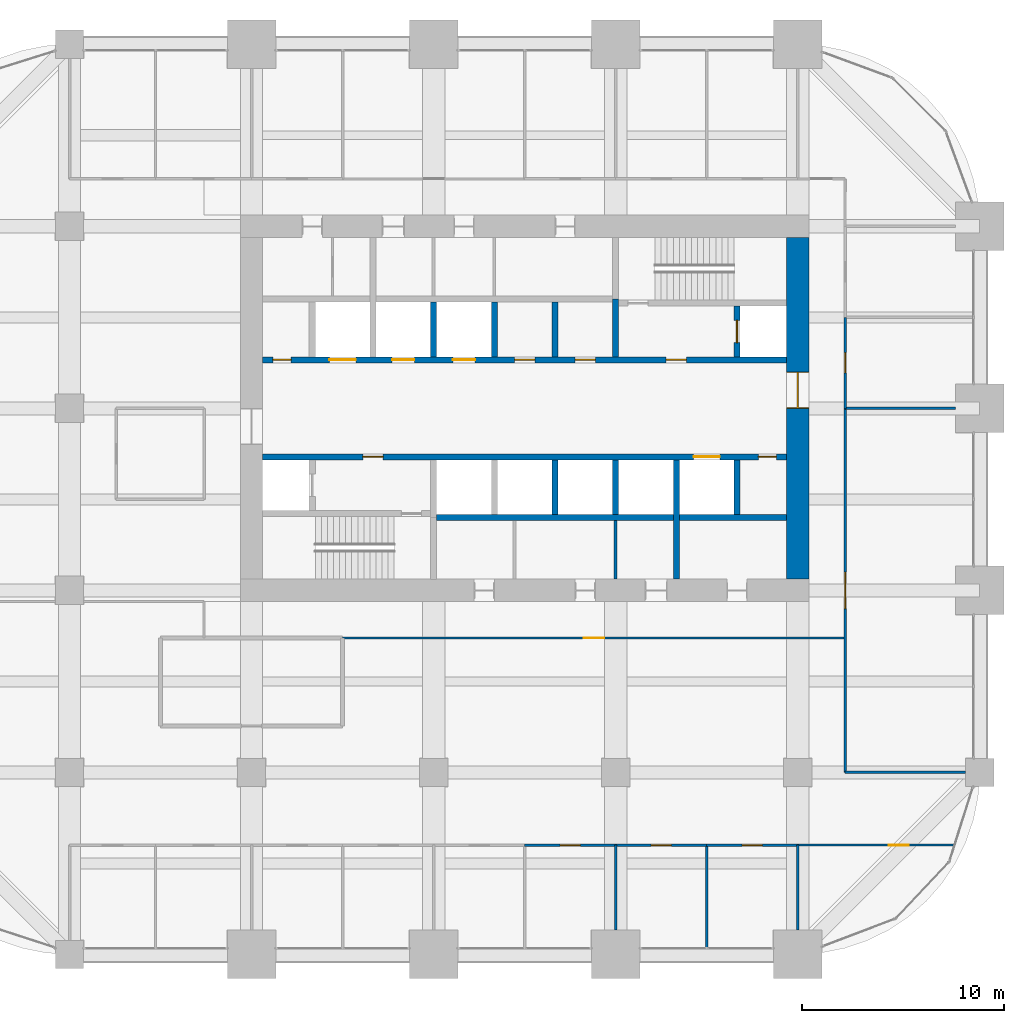
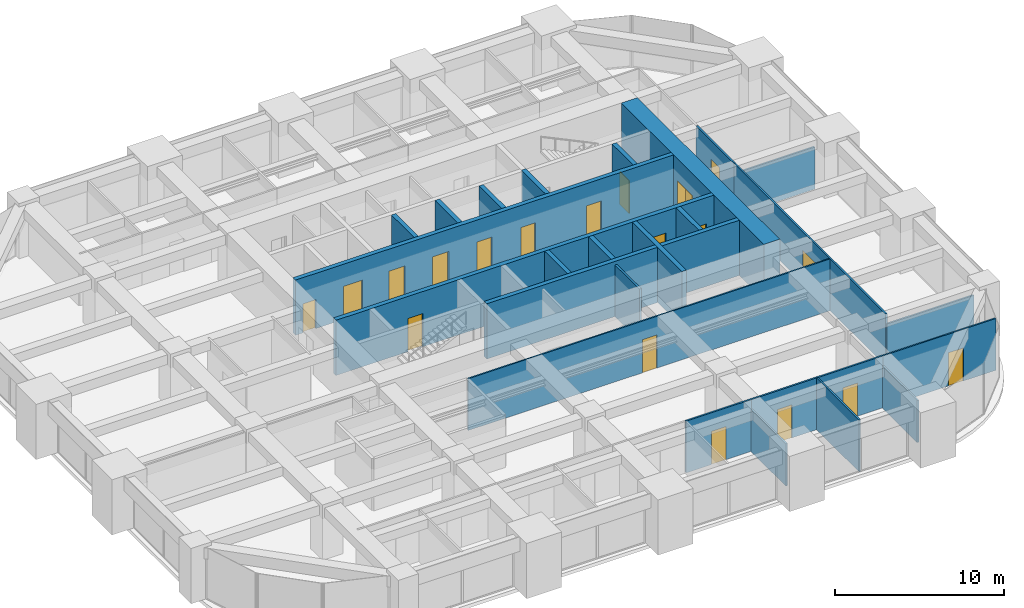
# One storey, part 30 of 33: 26 walls, 19 doors, 19 openings.
"""IFC4 building model written with IfcOpenShell, lengths in metres."""

from ifc_helpers import new_model, si_unit, direction, frame, frame_2d, origin, place, context, subcontext, project, spatial, rectangle, extrude, material, layer, layer_set, type_object, element, fill, save


model = new_model("IFC4")

# Units and contexts
model_context = context("Model", 3, precision=1e-05, world=origin(), true_north=direction((0.0, 1.0)))
body_context = subcontext(model_context, "Body", "Model", "MODEL_VIEW")
ifc_project = project(units=[si_unit("LENGTHUNIT", "METRE"), si_unit("AREAUNIT", "SQUARE_METRE"), si_unit("VOLUMEUNIT", "CUBIC_METRE"), si_unit("PLANEANGLEUNIT", "RADIAN"), si_unit("MASSUNIT", "GRAM", prefix="KILO")], contexts=[model_context])

# Site, building, storey
site_placement = place(None, origin())
site = spatial("IfcSite", under=ifc_project, at=site_placement, CompositionType="ELEMENT")
building_placement = place(site_placement, origin())
building = spatial("IfcBuilding", under=site, at=building_placement, Name="Zorevar Civic Tower", CompositionType="ELEMENT")
storey_placement = place(building_placement, frame((0.0, 0.0, 210.199951171875)))
storey = spatial("IfcBuildingStorey", under=building, at=storey_placement, Name="L51", CompositionType="ELEMENT", Elevation=210.199951171875)

# Wall, opening, door
ifc_material_1 = material(Name="Concrete C50/60", Category="concrete")
ifc_layer_1 = layer(ifc_material_1, 1.10009765625)
ifc_layer_set_1 = layer_set([ifc_layer_1], Name="Core wall 1100")
wall_type_1 = type_object("IfcWallType", Name="Core wall 1100", PredefinedType="SHEAR", material=ifc_layer_set_1)
wall_1_placement = place(storey_placement, frame((45.0, 18.550048828125, 0.0), z_axis=(0.0, 0.0, 1.0), x_axis=(0.0, 1.0, 0.0)))
wall_1 = element("IfcWall", 1, at=wall_1_placement, inside=storey, type_object=wall_type_1, Name="Core wall E L51", PredefinedType="SHEAR", context=body_context, shape_type="SweptSolid", body=[
    extrude(rectangle(XDim=16.89990234375, YDim=1.10009765625, at=frame_2d((8.449951171875, 0.0))), origin(), (0.0, 0.0, 1.0), 4.0),
])
opening_1_placement = place(wall_1_placement, frame((8.449951171875, 0.0, 0.0)))
opening_1 = element("IfcOpeningElement", 2, at=opening_1_placement, cuts=wall_1, Name="Opening L51.02", PredefinedType="OPENING", context=body_context, shape_type="SweptSolid", body=[
    extrude(rectangle(XDim=1.800048828125, YDim=2.39990234375, at=frame_2d((0.89990234375, 1.199951171875))), frame((0.0, 0.56005859375, 0.0), z_axis=(0.0, -1.0, 0.0), x_axis=(1.0, 0.0, 0.0)), (0.0, 0.0, 1.0), 1.1201171875),
])
ifc_material_2 = material(Name="Steel door set", Category="steel")
door_type_1 = type_object("IfcDoorType", Name="Fire door FD2 1800x2400", OperationType="DOUBLE_DOOR_DOUBLE_SWING", PredefinedType="DOOR", material=ifc_material_2)
door_1_placement = place(opening_1_placement, origin())
door_1 = element("IfcDoor", 3, at=door_1_placement, inside=storey, type_object=door_type_1, Name="Door L51 01", OperationType="DOUBLE_DOOR_DOUBLE_SWING", OverallHeight=2.39990234375, OverallWidth=1.800048828125, PredefinedType="DOOR", context=body_context, shape_type="SweptSolid", body=[
    extrude(rectangle(XDim=1.800048828125, YDim=2.39990234375, at=frame_2d((0.89990234375, 1.199951171875))), frame((0.0, 0.030029296875, 0.0), z_axis=(0.0, -1.0, 0.0), x_axis=(1.0, 0.0, 0.0)), (0.0, 0.0, 1.0), 0.06005859375),
    extrude(rectangle(XDim=0.04, YDim=2.39990234375, at=frame_2d((0.02001953125, 1.199951171875))), frame((0.0, 0.5498046875, 0.0), z_axis=(0.0, -1.0, 0.0), x_axis=(1.0, 0.0, 0.0)), (0.0, 0.0, 1.0), 1.099609375),
    extrude(rectangle(XDim=0.04, YDim=2.39990234375, at=frame_2d((1.780029296875, 1.199951171875))), frame((0.0, 0.5498046875, 0.0), z_axis=(0.0, -1.0, 0.0), x_axis=(1.0, 0.0, 0.0)), (0.0, 0.0, 1.0), 1.099609375),
    extrude(rectangle(XDim=1.800048828125, YDim=0.04, at=frame_2d((0.89990234375, 2.3798828125))), frame((0.0, 0.5498046875, 0.0), z_axis=(0.0, -1.0, 0.0), x_axis=(1.0, 0.0, 0.0)), (0.0, 0.0, 1.0), 1.099609375),
])
fill(opening_1, door_1)

ifc_material_3 = material(Name="Laminated glass in black aluminium frame", Category="aluminium")
ifc_layer_2 = layer(ifc_material_3, 0.10009765625)
ifc_layer_set_2 = layer_set([ifc_layer_2], Name="Glazed partition 100")
wall_type_2 = type_object("IfcWallType", Name="Glazed partition 100", PredefinedType="PARTITIONING", material=ifc_layer_set_2)
wall_2_placement = place(storey_placement, frame((45.0, 5.39990234375, 0.0), z_axis=(0.0, 0.0, 1.0), x_axis=(1.0, 0.0, 0.0)))
wall_2 = element("IfcWall", 4, at=wall_2_placement, inside=storey, type_object=wall_type_2, Name="Glazed partition 100 L51", PredefinedType="PARTITIONING", context=body_context, shape_type="SweptSolid", body=[
    extrude(rectangle(XDim=7.723388671875, YDim=0.10009765625, at=frame_2d((3.86181640625, 0.0))), origin(), (0.0, 0.0, 1.0), 3.75),
])
opening_2_placement = place(wall_2_placement, frame((4.5, 0.0, 0.0)))
opening_2 = element("IfcOpeningElement", 5, at=opening_2_placement, cuts=wall_2, Name="Opening L51.25", PredefinedType="OPENING", context=body_context, shape_type="SweptSolid", body=[
    extrude(rectangle(XDim=1.0, YDim=2.39990234375, at=frame_2d((0.5, 1.199951171875))), frame((0.0, 0.06005859375, 0.0), z_axis=(0.0, -1.0, 0.0), x_axis=(1.0, 0.0, 0.0)), (0.0, 0.0, 1.0), 0.1201171875),
])
ifc_material_4 = material(Name="Timber door set", Category="wood")
door_type_2 = type_object("IfcDoorType", Name="Glazed door GD1 1000x2400", OperationType="SINGLE_SWING_LEFT", PredefinedType="DOOR", material=ifc_material_4)
door_2_placement = place(opening_2_placement, origin())
door_2 = element("IfcDoor", 6, at=door_2_placement, inside=storey, type_object=door_type_2, Name="Door L51 D1", OperationType="SINGLE_SWING_LEFT", OverallHeight=2.39990234375, OverallWidth=1.0, PredefinedType="DOOR", context=body_context, shape_type="SweptSolid", body=[
    extrude(rectangle(XDim=1.0, YDim=2.39990234375, at=frame_2d((0.5, 1.199951171875))), frame((0.0, 0.02001953125, 0.0), z_axis=(0.0, -1.0, 0.0), x_axis=(1.0, 0.0, 0.0)), (0.0, 0.0, 1.0), 0.0400390625),
])
fill(opening_2, door_2)

wall_3_placement = place(storey_placement, frame((22.5, 15.64990234375, 0.0), z_axis=(0.0, 0.0, 1.0), x_axis=(1.0, 0.0, 0.0)))
wall_3 = element("IfcWall", 7, at=wall_3_placement, inside=storey, type_object=wall_type_2, Name="Glazed partition 100 L51", PredefinedType="PARTITIONING", context=body_context, shape_type="SweptSolid", body=[
    extrude(rectangle(XDim=24.85009765625, YDim=0.10009765625, at=frame_2d((12.425048828125, 0.0))), origin(), (0.0, 0.0, 1.0), 3.75),
])
opening_3_placement = place(wall_3_placement, frame((11.925048828125, 0.0, 0.0)))
opening_3 = element("IfcOpeningElement", 8, at=opening_3_placement, cuts=wall_3, Name="Opening L51.27", PredefinedType="OPENING", context=body_context, shape_type="SweptSolid", body=[
    extrude(rectangle(XDim=1.0, YDim=2.39990234375, at=frame_2d((0.5, 1.199951171875))), frame((0.0, 0.06005859375, 0.0), z_axis=(0.0, -1.0, 0.0), x_axis=(1.0, 0.0, 0.0)), (0.0, 0.0, 1.0), 0.1201171875),
])
door_3_placement = place(opening_3_placement, origin())
door_3 = element("IfcDoor", 9, at=door_3_placement, inside=storey, type_object=door_type_2, Name="Door L51 D1", OperationType="SINGLE_SWING_RIGHT", OverallHeight=2.39990234375, OverallWidth=1.0, PredefinedType="DOOR", context=body_context, shape_type="SweptSolid", body=[
    extrude(rectangle(XDim=1.0, YDim=2.39990234375, at=frame_2d((0.5, 1.199951171875))), frame((0.0, 0.02001953125, 0.0), z_axis=(0.0, -1.0, 0.0), x_axis=(1.0, 0.0, 0.0)), (0.0, 0.0, 1.0), 0.0400390625),
])
fill(opening_3, door_3)

ifc_material_5 = material(Name="Concrete C40/50", Category="concrete")
ifc_layer_3 = layer(ifc_material_5, 0.300048828125)
ifc_layer_set_3 = layer_set([ifc_layer_3], Name="Inner core wall 300")
wall_type_3 = type_object("IfcWallType", Name="Inner core wall 300", PredefinedType="SHEAR", material=ifc_layer_set_3)
wall_4_placement = place(storey_placement, frame((42.0, 29.550048828125, 0.0), z_axis=(0.0, 0.0, 1.0), x_axis=(0.0, 1.0, 0.0)))
wall_4 = element("IfcWall", 10, at=wall_4_placement, inside=storey, type_object=wall_type_3, Name="Inner core wall N02 L51", PredefinedType="SHEAR", context=body_context, shape_type="SweptSolid", body=[
    extrude(rectangle(XDim=2.5, YDim=0.300048828125, at=frame_2d((1.25, 0.0))), origin(), (0.0, 0.0, 1.0), 4.0),
])
opening_4_placement = place(wall_4_placement, frame((0.699951171875, 0.0, 0.0)))
opening_4 = element("IfcOpeningElement", 11, at=opening_4_placement, cuts=wall_4, Name="Opening L51.FL2", PredefinedType="OPENING", context=body_context, shape_type="SweptSolid", body=[
    extrude(rectangle(XDim=1.10009765625, YDim=2.39990234375, at=frame_2d((0.550048828125, 1.199951171875))), frame((0.0, 0.159912109375, 0.0), z_axis=(0.0, -1.0, 0.0), x_axis=(1.0, 0.0, 0.0)), (0.0, 0.0, 1.0), 0.320068359375),
])
ifc_material_6 = material(Name="Steel door set", Category="steel")
door_type_3 = type_object("IfcDoorType", Name="Firefighting lift landing door LD3 1100x2400", OperationType="DOUBLE_DOOR_SLIDING", PredefinedType="DOOR", material=ifc_material_6)
door_4_placement = place(opening_4_placement, origin())
door_4 = element("IfcDoor", 12, at=door_4_placement, inside=storey, type_object=door_type_3, Name="Landing door FL2 L51", OperationType="DOUBLE_DOOR_SLIDING", OverallHeight=2.39990234375, OverallWidth=1.10009765625, PredefinedType="DOOR", context=body_context, shape_type="SweptSolid", body=[
    extrude(rectangle(XDim=1.10009765625, YDim=2.39990234375, at=frame_2d((0.550048828125, 1.199951171875))), frame((0.0, 0.030029296875, 0.0), z_axis=(0.0, -1.0, 0.0), x_axis=(1.0, 0.0, 0.0)), (0.0, 0.0, 1.0), 0.06005859375),
])
fill(opening_4, door_4)

# Wall, openings, doors
wall_5_placement = place(storey_placement, frame((18.550048828125, 24.60009765625, 0.0), z_axis=(0.0, 0.0, 1.0), x_axis=(1.0, 0.0, 0.0)))
wall_5 = element("IfcWall", 13, at=wall_5_placement, inside=storey, type_object=wall_type_3, Name="Inner core wall S03 L51", PredefinedType="SHEAR", context=body_context, shape_type="SweptSolid", body=[
    extrude(rectangle(XDim=25.89990234375, YDim=0.300048828125, at=frame_2d((12.949951171875, 0.0))), origin(), (0.0, 0.0, 1.0), 4.0),
])
opening_5_placement = place(wall_5_placement, frame((4.949951171875, 0.0, 0.0)))
opening_5 = element("IfcOpeningElement", 14, at=opening_5_placement, cuts=wall_5, Name="Opening L51.13", PredefinedType="OPENING", context=body_context, shape_type="SweptSolid", body=[
    extrude(rectangle(XDim=1.0, YDim=2.39990234375, at=frame_2d((0.5, 1.199951171875))), frame((0.0, 0.159912109375, 0.0), z_axis=(0.0, -1.0, 0.0), x_axis=(1.0, 0.0, 0.0)), (0.0, 0.0, 1.0), 0.320068359375),
])
opening_6_placement = place(wall_5_placement, frame((24.5, 0.0, 0.0)))
opening_6 = element("IfcOpeningElement", 15, at=opening_6_placement, cuts=wall_5, Name="Opening L51.15", PredefinedType="OPENING", context=body_context, shape_type="SweptSolid", body=[
    extrude(rectangle(XDim=0.89990234375, YDim=2.10009765625, at=frame_2d((0.449951171875, 1.050048828125))), frame((0.0, 0.159912109375, 0.0), z_axis=(0.0, -1.0, 0.0), x_axis=(1.0, 0.0, 0.0)), (0.0, 0.0, 1.0), 0.320068359375),
])
opening_7_placement = place(wall_5_placement, frame((21.300048828125, 0.0, 0.0)))
opening_7 = element("IfcOpeningElement", 16, at=opening_7_placement, cuts=wall_5, Name="Opening L51.SL1", PredefinedType="OPENING", context=body_context, shape_type="SweptSolid", body=[
    extrude(rectangle(XDim=1.300048828125, YDim=2.39990234375, at=frame_2d((0.64990234375, 1.199951171875))), frame((0.0, 0.159912109375, 0.0), z_axis=(0.0, -1.0, 0.0), x_axis=(1.0, 0.0, 0.0)), (0.0, 0.0, 1.0), 0.320068359375),
])
ifc_material_7 = material(Name="Steel door set", Category="steel")
door_type_4 = type_object("IfcDoorType", Name="Fire door FD1 1000x2400", OperationType="SINGLE_SWING_LEFT", PredefinedType="DOOR", material=ifc_material_7)
door_5_placement = place(opening_5_placement, origin())
door_5 = element("IfcDoor", 17, at=door_5_placement, inside=storey, type_object=door_type_4, Name="Door L51 12", OperationType="SINGLE_SWING_RIGHT", OverallHeight=2.39990234375, OverallWidth=1.0, PredefinedType="DOOR", context=body_context, shape_type="SweptSolid", body=[
    extrude(rectangle(XDim=1.0, YDim=2.39990234375, at=frame_2d((0.5, 1.199951171875))), frame((0.0, 0.030029296875, 0.0), z_axis=(0.0, -1.0, 0.0), x_axis=(1.0, 0.0, 0.0)), (0.0, 0.0, 1.0), 0.06005859375),
])
fill(opening_5, door_5)
ifc_material_8 = material(Name="Steel door set", Category="steel")
door_type_5 = type_object("IfcDoorType", Name="Landing door LD2 1300x2400", OperationType="DOUBLE_DOOR_SLIDING", PredefinedType="DOOR", material=ifc_material_8)
door_6_placement = place(opening_7_placement, origin())
door_6 = element("IfcDoor", 18, at=door_6_placement, inside=storey, type_object=door_type_5, Name="Landing door SL1 L51", OperationType="DOUBLE_DOOR_SLIDING", OverallHeight=2.39990234375, OverallWidth=1.300048828125, PredefinedType="DOOR", context=body_context, shape_type="SweptSolid", body=[
    extrude(rectangle(XDim=1.300048828125, YDim=2.39990234375, at=frame_2d((0.64990234375, 1.199951171875))), frame((0.0, 0.02001953125, 0.0), z_axis=(0.0, -1.0, 0.0), x_axis=(1.0, 0.0, 0.0)), (0.0, 0.0, 1.0), 0.0400390625),
])
fill(opening_7, door_6)
ifc_material_9 = material(Name="Steel door set", Category="steel")
door_type_6 = type_object("IfcDoorType", Name="Riser door RD1 900x2100", OperationType="SINGLE_SWING_LEFT", PredefinedType="DOOR", material=ifc_material_9)
door_7_placement = place(opening_6_placement, origin())
door_7 = element("IfcDoor", 19, at=door_7_placement, inside=storey, type_object=door_type_6, Name="Door L51 14", OperationType="SINGLE_SWING_RIGHT", OverallHeight=2.10009765625, OverallWidth=0.89990234375, PredefinedType="DOOR", context=body_context, shape_type="SweptSolid", body=[
    extrude(rectangle(XDim=0.89990234375, YDim=2.10009765625, at=frame_2d((0.449951171875, 1.050048828125))), frame((0.0, 0.030029296875, 0.0), z_axis=(0.0, -1.0, 0.0), x_axis=(1.0, 0.0, 0.0)), (0.0, 0.0, 1.0), 0.06005859375),
])
fill(opening_6, door_7)

wall_6_placement = place(storey_placement, frame((18.550048828125, 29.39990234375, 0.0), z_axis=(0.0, 0.0, 1.0), x_axis=(1.0, 0.0, 0.0)))
wall_6 = element("IfcWall", 20, at=wall_6_placement, inside=storey, type_object=wall_type_3, Name="Inner core wall N03 L51", PredefinedType="SHEAR", context=body_context, shape_type="SweptSolid", body=[
    extrude(rectangle(XDim=25.89990234375, YDim=0.300048828125, at=frame_2d((12.949951171875, 0.0))), origin(), (0.0, 0.0, 1.0), 4.0),
])
opening_8_placement = place(wall_6_placement, frame((19.949951171875, 0.0, 0.0)))
opening_8 = element("IfcOpeningElement", 21, at=opening_8_placement, cuts=wall_6, Name="Opening L51.14", PredefinedType="OPENING", context=body_context, shape_type="SweptSolid", body=[
    extrude(rectangle(XDim=1.0, YDim=2.39990234375, at=frame_2d((0.5, 1.199951171875))), frame((0.0, 0.159912109375, 0.0), z_axis=(0.0, -1.0, 0.0), x_axis=(1.0, 0.0, 0.0)), (0.0, 0.0, 1.0), 0.320068359375),
])
opening_9_placement = place(wall_6_placement, frame((0.5, 0.0, 0.0)))
opening_9 = element("IfcOpeningElement", 22, at=opening_9_placement, cuts=wall_6, Name="Opening L51.16", PredefinedType="OPENING", context=body_context, shape_type="SweptSolid", body=[
    extrude(rectangle(XDim=0.89990234375, YDim=2.10009765625, at=frame_2d((0.449951171875, 1.050048828125))), frame((0.0, 0.159912109375, 0.0), z_axis=(0.0, -1.0, 0.0), x_axis=(1.0, 0.0, 0.0)), (0.0, 0.0, 1.0), 0.320068359375),
])
opening_10_placement = place(wall_6_placement, frame((15.449951171875, 0.0, 0.0)))
opening_10 = element("IfcOpeningElement", 23, at=opening_10_placement, cuts=wall_6, Name="Opening L51.41", PredefinedType="OPENING", context=body_context, shape_type="SweptSolid", body=[
    extrude(rectangle(XDim=1.0, YDim=2.39990234375, at=frame_2d((0.5, 1.199951171875))), frame((0.0, 0.159912109375, 0.0), z_axis=(0.0, -1.0, 0.0), x_axis=(1.0, 0.0, 0.0)), (0.0, 0.0, 1.0), 0.320068359375),
])
opening_11_placement = place(wall_6_placement, frame((12.449951171875, 0.0, 0.0)))
opening_11 = element("IfcOpeningElement", 24, at=opening_11_placement, cuts=wall_6, Name="Opening L51.42", PredefinedType="OPENING", context=body_context, shape_type="SweptSolid", body=[
    extrude(rectangle(XDim=1.0, YDim=2.39990234375, at=frame_2d((0.5, 1.199951171875))), frame((0.0, 0.159912109375, 0.0), z_axis=(0.0, -1.0, 0.0), x_axis=(1.0, 0.0, 0.0)), (0.0, 0.0, 1.0), 0.320068359375),
])
opening_12_placement = place(wall_6_placement, frame((9.39990234375, 0.0, 0.0)))
opening_12 = element("IfcOpeningElement", 25, at=opening_12_placement, cuts=wall_6, Name="Opening L51.LH1", PredefinedType="OPENING", context=body_context, shape_type="SweptSolid", body=[
    extrude(rectangle(XDim=1.10009765625, YDim=2.39990234375, at=frame_2d((0.550048828125, 1.199951171875))), frame((0.0, 0.159912109375, 0.0), z_axis=(0.0, -1.0, 0.0), x_axis=(1.0, 0.0, 0.0)), (0.0, 0.0, 1.0), 0.320068359375),
])
opening_13_placement = place(wall_6_placement, frame((6.39990234375, 0.0, 0.0)))
opening_13 = element("IfcOpeningElement", 26, at=opening_13_placement, cuts=wall_6, Name="Opening L51.LH2", PredefinedType="OPENING", context=body_context, shape_type="SweptSolid", body=[
    extrude(rectangle(XDim=1.10009765625, YDim=2.39990234375, at=frame_2d((0.550048828125, 1.199951171875))), frame((0.0, 0.159912109375, 0.0), z_axis=(0.0, -1.0, 0.0), x_axis=(1.0, 0.0, 0.0)), (0.0, 0.0, 1.0), 0.320068359375),
])
opening_14_placement = place(wall_6_placement, frame((3.300048828125, 0.0, 0.0)))
opening_14 = element("IfcOpeningElement", 27, at=opening_14_placement, cuts=wall_6, Name="Opening L51.SL2", PredefinedType="OPENING", context=body_context, shape_type="SweptSolid", body=[
    extrude(rectangle(XDim=1.300048828125, YDim=2.39990234375, at=frame_2d((0.64990234375, 1.199951171875))), frame((0.0, 0.159912109375, 0.0), z_axis=(0.0, -1.0, 0.0), x_axis=(1.0, 0.0, 0.0)), (0.0, 0.0, 1.0), 0.320068359375),
])
door_8_placement = place(opening_8_placement, origin())
door_8 = element("IfcDoor", 28, at=door_8_placement, inside=storey, type_object=door_type_4, Name="Door L51 13", OperationType="SINGLE_SWING_RIGHT", OverallHeight=2.39990234375, OverallWidth=1.0, PredefinedType="DOOR", context=body_context, shape_type="SweptSolid", body=[
    extrude(rectangle(XDim=1.0, YDim=2.39990234375, at=frame_2d((0.5, 1.199951171875))), frame((0.0, 0.030029296875, 0.0), z_axis=(0.0, -1.0, 0.0), x_axis=(1.0, 0.0, 0.0)), (0.0, 0.0, 1.0), 0.06005859375),
])
fill(opening_8, door_8)
door_9_placement = place(opening_10_placement, origin())
door_9 = element("IfcDoor", 29, at=door_9_placement, inside=storey, type_object=door_type_4, Name="Door L51 LM1 shaft room", OperationType="SINGLE_SWING_LEFT", OverallHeight=2.39990234375, OverallWidth=1.0, PredefinedType="DOOR", context=body_context, shape_type="SweptSolid", body=[
    extrude(rectangle(XDim=1.0, YDim=2.39990234375, at=frame_2d((0.5, 1.199951171875))), frame((0.0, 0.030029296875, 0.0), z_axis=(0.0, -1.0, 0.0), x_axis=(1.0, 0.0, 0.0)), (0.0, 0.0, 1.0), 0.06005859375),
])
fill(opening_10, door_9)
door_10_placement = place(opening_11_placement, origin())
door_10 = element("IfcDoor", 30, at=door_10_placement, inside=storey, type_object=door_type_4, Name="Door L51 LM2 shaft room", OperationType="SINGLE_SWING_RIGHT", OverallHeight=2.39990234375, OverallWidth=1.0, PredefinedType="DOOR", context=body_context, shape_type="SweptSolid", body=[
    extrude(rectangle(XDim=1.0, YDim=2.39990234375, at=frame_2d((0.5, 1.199951171875))), frame((0.0, 0.030029296875, 0.0), z_axis=(0.0, -1.0, 0.0), x_axis=(1.0, 0.0, 0.0)), (0.0, 0.0, 1.0), 0.06005859375),
])
fill(opening_11, door_10)
ifc_material_10 = material(Name="Steel door set", Category="steel")
door_type_7 = type_object("IfcDoorType", Name="Landing door LD1 1100x2400", OperationType="DOUBLE_DOOR_SLIDING", PredefinedType="DOOR", material=ifc_material_10)
door_11_placement = place(opening_12_placement, origin())
door_11 = element("IfcDoor", 31, at=door_11_placement, inside=storey, type_object=door_type_7, Name="Landing door LH1 L51", OperationType="DOUBLE_DOOR_SLIDING", OverallHeight=2.39990234375, OverallWidth=1.10009765625, PredefinedType="DOOR", context=body_context, shape_type="SweptSolid", body=[
    extrude(rectangle(XDim=1.10009765625, YDim=2.39990234375, at=frame_2d((0.550048828125, 1.199951171875))), frame((0.0, 0.02001953125, 0.0), z_axis=(0.0, -1.0, 0.0), x_axis=(1.0, 0.0, 0.0)), (0.0, 0.0, 1.0), 0.0400390625),
])
fill(opening_12, door_11)
door_12_placement = place(opening_13_placement, origin())
door_12 = element("IfcDoor", 32, at=door_12_placement, inside=storey, type_object=door_type_7, Name="Landing door LH2 L51", OperationType="DOUBLE_DOOR_SLIDING", OverallHeight=2.39990234375, OverallWidth=1.10009765625, PredefinedType="DOOR", context=body_context, shape_type="SweptSolid", body=[
    extrude(rectangle(XDim=1.10009765625, YDim=2.39990234375, at=frame_2d((0.550048828125, 1.199951171875))), frame((0.0, 0.02001953125, 0.0), z_axis=(0.0, -1.0, 0.0), x_axis=(1.0, 0.0, 0.0)), (0.0, 0.0, 1.0), 0.0400390625),
])
fill(opening_13, door_12)
door_13_placement = place(opening_14_placement, origin())
door_13 = element("IfcDoor", 33, at=door_13_placement, inside=storey, type_object=door_type_5, Name="Landing door SL2 L51", OperationType="DOUBLE_DOOR_SLIDING", OverallHeight=2.39990234375, OverallWidth=1.300048828125, PredefinedType="DOOR", context=body_context, shape_type="SweptSolid", body=[
    extrude(rectangle(XDim=1.300048828125, YDim=2.39990234375, at=frame_2d((0.64990234375, 1.199951171875))), frame((0.0, 0.02001953125, 0.0), z_axis=(0.0, -1.0, 0.0), x_axis=(1.0, 0.0, 0.0)), (0.0, 0.0, 1.0), 0.0400390625),
])
fill(opening_14, door_13)
door_14_placement = place(opening_9_placement, origin())
door_14 = element("IfcDoor", 34, at=door_14_placement, inside=storey, type_object=door_type_6, Name="Door L51 15", OperationType="SINGLE_SWING_RIGHT", OverallHeight=2.10009765625, OverallWidth=0.89990234375, PredefinedType="DOOR", context=body_context, shape_type="SweptSolid", body=[
    extrude(rectangle(XDim=0.89990234375, YDim=2.10009765625, at=frame_2d((0.449951171875, 1.050048828125))), frame((0.0, 0.030029296875, 0.0), z_axis=(0.0, -1.0, 0.0), x_axis=(1.0, 0.0, 0.0)), (0.0, 0.0, 1.0), 0.06005859375),
])
fill(opening_9, door_14)

# Walls
wall_7_placement = place(storey_placement, frame((27.14990234375, 21.60009765625, 0.0), z_axis=(0.0, 0.0, 1.0), x_axis=(1.0, 0.0, 0.0)))
element("IfcWall", 35, at=wall_7_placement, inside=storey, type_object=wall_type_3, Name="Inner core wall S04 L51", PredefinedType="SHEAR", context=body_context, shape_type="SweptSolid", body=[
    extrude(rectangle(XDim=17.300048828125, YDim=0.300048828125, at=frame_2d((8.64990234375, 0.0))), origin(), (0.0, 0.0, 1.0), 4.0),
])
for number, where, z_axis, x_axis, name in (
    (36, (33.0, 29.550048828125, 0.0), (0.0, 0.0, 1.0), (0.0, 1.0, 0.0), "Inner core wall N05 L51"),
    (37, (33.0, 21.75, 0.0), (0.0, 0.0, 1.0), (0.0, 1.0, 0.0), "Inner core wall S06 L51"),
    (38, (30.0, 29.550048828125, 0.0), (0.0, 0.0, 1.0), (0.0, 1.0, 0.0), "Inner core wall N06 L51"),
    (39, (36.0, 21.75, 0.0), (0.0, 0.0, 1.0), (0.0, 1.0, 0.0), "Inner core wall S07 L51"),
    (40, (27.0, 29.550048828125, 0.0), (0.0, 0.0, 1.0), (0.0, 1.0, 0.0), "Inner core wall N07 L51"),
):
    element("IfcWall", number, at=place(storey_placement, frame(where, z_axis=z_axis, x_axis=x_axis)), inside=storey, type_object=wall_type_3, Name=name, PredefinedType="SHEAR", context=body_context, shape_type="SweptSolid", body=[
        extrude(rectangle(XDim=2.699951171875, YDim=0.300048828125, at=frame_2d((1.35009765625, 0.0))), origin(), (0.0, 0.0, 1.0), 4.0),
    ])
wall_8_placement = place(storey_placement, frame((39.0, 18.550048828125, 0.0), z_axis=(0.0, 0.0, 1.0), x_axis=(0.0, 1.0, 0.0)))
element("IfcWall", 41, at=wall_8_placement, inside=storey, type_object=wall_type_3, Name="Inner core wall S08 L51", PredefinedType="SHEAR", context=body_context, shape_type="SweptSolid", body=[
    extrude(rectangle(XDim=5.89990234375, YDim=0.300048828125, at=frame_2d((2.949951171875, 0.0))), origin(), (0.0, 0.0, 1.0), 4.0),
])
wall_9_placement = place(storey_placement, frame((42.0, 21.75, 0.0), z_axis=(0.0, 0.0, 1.0), x_axis=(0.0, 1.0, 0.0)))
element("IfcWall", 42, at=wall_9_placement, inside=storey, type_object=wall_type_3, Name="Inner core wall S09 L51", PredefinedType="SHEAR", context=body_context, shape_type="SweptSolid", body=[
    extrude(rectangle(XDim=2.699951171875, YDim=0.300048828125, at=frame_2d((1.35009765625, 0.0))), origin(), (0.0, 0.0, 1.0), 4.0),
])
wall_10_placement = place(storey_placement, frame((36.0, 29.550048828125, 0.0), z_axis=(0.0, 0.0, 1.0), x_axis=(0.0, 1.0, 0.0)))
element("IfcWall", 43, at=wall_10_placement, inside=storey, type_object=wall_type_3, Name="Inner core wall N10 L51", PredefinedType="SHEAR", context=body_context, shape_type="SweptSolid", body=[
    extrude(rectangle(XDim=2.849853515625, YDim=0.300048828125, at=frame_2d((1.4248046875, 0.0))), origin(), (0.0, 0.0, 1.0), 4.0),
])

# Wall, opening, door
ifc_material_11 = material(Name="Gypsum board on steel studs", Category="steel")
ifc_layer_4 = layer(ifc_material_11, 0.1201171875)
ifc_layer_set_4 = layer_set([ifc_layer_4], Name="Partition 120")
wall_type_4 = type_object("IfcWallType", Name="Partition 120", PredefinedType="PARTITIONING", material=ifc_layer_set_4)
wall_11_placement = place(storey_placement, frame((31.5, 5.39990234375, 0.0), z_axis=(0.0, 0.0, 1.0), x_axis=(1.0, 0.0, 0.0)))
wall_11 = element("IfcWall", 44, at=wall_11_placement, inside=storey, type_object=wall_type_4, Name="Partition 120 L51", PredefinedType="PARTITIONING", context=body_context, shape_type="SweptSolid", body=[
    extrude(rectangle(XDim=4.5, YDim=0.1201171875, at=frame_2d((2.25, 0.0))), origin(), (0.0, 0.0, 1.0), 3.75),
])
opening_15_placement = place(wall_11_placement, frame((1.75, 0.0, 0.0)))
opening_15 = element("IfcOpeningElement", 45, at=opening_15_placement, cuts=wall_11, Name="Opening L51.22", PredefinedType="OPENING", context=body_context, shape_type="SweptSolid", body=[
    extrude(rectangle(XDim=1.0, YDim=2.39990234375, at=frame_2d((0.5, 1.199951171875))), frame((0.0, 0.070068359375, 0.0), z_axis=(0.0, -1.0, 0.0), x_axis=(1.0, 0.0, 0.0)), (0.0, 0.0, 1.0), 0.14013671875),
])
ifc_material_12 = material(Name="Timber door set", Category="wood")
door_type_8 = type_object("IfcDoorType", Name="Door D1 1000x2400", OperationType="SINGLE_SWING_LEFT", PredefinedType="DOOR", material=ifc_material_12)
door_15_placement = place(opening_15_placement, origin())
door_15 = element("IfcDoor", 46, at=door_15_placement, inside=storey, type_object=door_type_8, Name="Door L51 D1", OperationType="SINGLE_SWING_LEFT", OverallHeight=2.39990234375, OverallWidth=1.0, PredefinedType="DOOR", context=body_context, shape_type="SweptSolid", body=[
    extrude(rectangle(XDim=1.0, YDim=2.39990234375, at=frame_2d((0.5, 1.199951171875))), frame((0.0, 0.02490234375, 0.0), z_axis=(0.0, -1.0, 0.0), x_axis=(1.0, 0.0, 0.0)), (0.0, 0.0, 1.0), 0.050048828125),
])
fill(opening_15, door_15)

wall_12_placement = place(storey_placement, frame((36.0, 5.39990234375, 0.0), z_axis=(0.0, 0.0, 1.0), x_axis=(1.0, 0.0, 0.0)))
wall_12 = element("IfcWall", 47, at=wall_12_placement, inside=storey, type_object=wall_type_4, Name="Partition 120 L51", PredefinedType="PARTITIONING", context=body_context, shape_type="SweptSolid", body=[
    extrude(rectangle(XDim=4.5, YDim=0.1201171875, at=frame_2d((2.25, 0.0))), origin(), (0.0, 0.0, 1.0), 3.75),
])
opening_16_placement = place(wall_12_placement, frame((1.75, 0.0, 0.0)))
opening_16 = element("IfcOpeningElement", 48, at=opening_16_placement, cuts=wall_12, Name="Opening L51.23", PredefinedType="OPENING", context=body_context, shape_type="SweptSolid", body=[
    extrude(rectangle(XDim=1.0, YDim=2.39990234375, at=frame_2d((0.5, 1.199951171875))), frame((0.0, 0.070068359375, 0.0), z_axis=(0.0, -1.0, 0.0), x_axis=(1.0, 0.0, 0.0)), (0.0, 0.0, 1.0), 0.14013671875),
])
door_16_placement = place(opening_16_placement, origin())
door_16 = element("IfcDoor", 49, at=door_16_placement, inside=storey, type_object=door_type_8, Name="Door L51 D1", OperationType="SINGLE_SWING_LEFT", OverallHeight=2.39990234375, OverallWidth=1.0, PredefinedType="DOOR", context=body_context, shape_type="SweptSolid", body=[
    extrude(rectangle(XDim=1.0, YDim=2.39990234375, at=frame_2d((0.5, 1.199951171875))), frame((0.0, 0.02490234375, 0.0), z_axis=(0.0, -1.0, 0.0), x_axis=(1.0, 0.0, 0.0)), (0.0, 0.0, 1.0), 0.050048828125),
])
fill(opening_16, door_16)

wall_13_placement = place(storey_placement, frame((40.5, 5.39990234375, 0.0), z_axis=(0.0, 0.0, 1.0), x_axis=(1.0, 0.0, 0.0)))
wall_13 = element("IfcWall", 50, at=wall_13_placement, inside=storey, type_object=wall_type_4, Name="Partition 120 L51", PredefinedType="PARTITIONING", context=body_context, shape_type="SweptSolid", body=[
    extrude(rectangle(XDim=4.5, YDim=0.1201171875, at=frame_2d((2.25, 0.0))), origin(), (0.0, 0.0, 1.0), 3.75),
])
opening_17_placement = place(wall_13_placement, frame((1.75, 0.0, 0.0)))
opening_17 = element("IfcOpeningElement", 51, at=opening_17_placement, cuts=wall_13, Name="Opening L51.24", PredefinedType="OPENING", context=body_context, shape_type="SweptSolid", body=[
    extrude(rectangle(XDim=1.0, YDim=2.39990234375, at=frame_2d((0.5, 1.199951171875))), frame((0.0, 0.070068359375, 0.0), z_axis=(0.0, -1.0, 0.0), x_axis=(1.0, 0.0, 0.0)), (0.0, 0.0, 1.0), 0.14013671875),
])
door_17_placement = place(opening_17_placement, origin())
door_17 = element("IfcDoor", 52, at=door_17_placement, inside=storey, type_object=door_type_8, Name="Door L51 D1", OperationType="SINGLE_SWING_LEFT", OverallHeight=2.39990234375, OverallWidth=1.0, PredefinedType="DOOR", context=body_context, shape_type="SweptSolid", body=[
    extrude(rectangle(XDim=1.0, YDim=2.39990234375, at=frame_2d((0.5, 1.199951171875))), frame((0.0, 0.02490234375, 0.0), z_axis=(0.0, -1.0, 0.0), x_axis=(1.0, 0.0, 0.0)), (0.0, 0.0, 1.0), 0.050048828125),
])
fill(opening_17, door_17)

# Walls
wall_14_placement = place(storey_placement, frame((47.35009765625, 9.0, 0.0), z_axis=(0.0, 0.0, 1.0), x_axis=(1.0, 0.0, 0.0)))
element("IfcWall", 53, at=wall_14_placement, inside=storey, type_object=wall_type_4, Name="Partition 120 L51", PredefinedType="PARTITIONING", context=body_context, shape_type="SweptSolid", body=[
    extrude(rectangle(XDim=5.949951171875, YDim=0.1201171875, at=frame_2d((2.97509765625, 0.0))), origin(), (0.0, 0.0, 1.0), 3.050048828125),
])
wall_15_placement = place(storey_placement, frame((47.35009765625, 27.0, 0.0), z_axis=(0.0, 0.0, 1.0), x_axis=(1.0, 0.0, 0.0)))
element("IfcWall", 54, at=wall_15_placement, inside=storey, type_object=wall_type_4, Name="Partition 120 L51", PredefinedType="PARTITIONING", context=body_context, shape_type="SweptSolid", body=[
    extrude(rectangle(XDim=5.449951171875, YDim=0.1201171875, at=frame_2d((2.72509765625, 0.0))), origin(), (0.0, 0.0, 1.0), 3.050048828125),
])
wall_16_placement = place(storey_placement, frame((36.0, 1.199951171875, 0.0), z_axis=(0.0, 0.0, 1.0), x_axis=(0.0, 1.0, 0.0)))
element("IfcWall", 55, at=wall_16_placement, inside=storey, type_object=wall_type_4, Name="Partition 120 L51", PredefinedType="PARTITIONING", context=body_context, shape_type="SweptSolid", body=[
    extrude(rectangle(XDim=4.199951171875, YDim=0.1201171875, at=frame_2d((2.10009765625, 0.0))), origin(), (0.0, 0.0, 1.0), 3.050048828125),
])
wall_17_placement = place(storey_placement, frame((40.5, 0.31005859375, 0.0), z_axis=(0.0, 0.0, 1.0), x_axis=(0.0, 1.0, 0.0)))
element("IfcWall", 56, at=wall_17_placement, inside=storey, type_object=wall_type_4, Name="Partition 120 L51", PredefinedType="PARTITIONING", context=body_context, shape_type="SweptSolid", body=[
    extrude(rectangle(XDim=5.08984375, YDim=0.1201171875, at=frame_2d((2.544921875, 0.0))), origin(), (0.0, 0.0, 1.0), 3.75),
])
wall_18_placement = place(storey_placement, frame((45.0, 1.199951171875, 0.0), z_axis=(0.0, 0.0, 1.0), x_axis=(0.0, 1.0, 0.0)))
element("IfcWall", 57, at=wall_18_placement, inside=storey, type_object=wall_type_4, Name="Partition 120 L51", PredefinedType="PARTITIONING", context=body_context, shape_type="SweptSolid", body=[
    extrude(rectangle(XDim=4.199951171875, YDim=0.1201171875, at=frame_2d((2.10009765625, 0.0))), origin(), (0.0, 0.0, 1.0), 3.050048828125),
])

# Wall, opening, door
wall_19_placement = place(storey_placement, frame((47.35009765625, 9.0, 0.0), z_axis=(0.0, 0.0, 1.0), x_axis=(0.0, 1.0, 0.0)))
wall_19 = element("IfcWall", 58, at=wall_19_placement, inside=storey, type_object=wall_type_4, Name="Partition 120 L51", PredefinedType="PARTITIONING", context=body_context, shape_type="SweptSolid", body=[
    extrude(rectangle(XDim=18.0, YDim=0.1201171875, at=frame_2d((9.0, 0.0))), origin(), (0.0, 0.0, 1.0), 3.75),
])
opening_18_placement = place(wall_19_placement, frame((8.10009765625, 0.0, 0.0)))
opening_18 = element("IfcOpeningElement", 59, at=opening_18_placement, cuts=wall_19, Name="Opening L51.37", PredefinedType="OPENING", context=body_context, shape_type="SweptSolid", body=[
    extrude(rectangle(XDim=1.800048828125, YDim=2.39990234375, at=frame_2d((0.89990234375, 1.199951171875))), frame((0.0, 0.070068359375, 0.0), z_axis=(0.0, -1.0, 0.0), x_axis=(1.0, 0.0, 0.0)), (0.0, 0.0, 1.0), 0.14013671875),
])
ifc_material_13 = material(Name="Steel door set", Category="steel")
door_type_9 = type_object("IfcDoorType", Name="Door D2 1800x2400", OperationType="DOUBLE_DOOR_SINGLE_SWING", PredefinedType="DOOR", material=ifc_material_13)
door_18_placement = place(opening_18_placement, origin())
door_18 = element("IfcDoor", 60, at=door_18_placement, inside=storey, type_object=door_type_9, Name="Door L51 D1", OperationType="DOUBLE_DOOR_SINGLE_SWING", OverallHeight=2.39990234375, OverallWidth=1.800048828125, PredefinedType="DOOR", context=body_context, shape_type="SweptSolid", body=[
    extrude(rectangle(XDim=1.800048828125, YDim=2.39990234375, at=frame_2d((0.89990234375, 1.199951171875))), frame((0.0, 0.02490234375, 0.0), z_axis=(0.0, -1.0, 0.0), x_axis=(1.0, 0.0, 0.0)), (0.0, 0.0, 1.0), 0.050048828125),
])
fill(opening_18, door_18)

wall_20_placement = place(storey_placement, frame((47.35009765625, 27.0, 0.0), z_axis=(0.0, 0.0, 1.0), x_axis=(0.0, 1.0, 0.0)))
wall_20 = element("IfcWall", 61, at=wall_20_placement, inside=storey, type_object=wall_type_4, Name="Partition 120 L51", PredefinedType="PARTITIONING", context=body_context, shape_type="SweptSolid", body=[
    extrude(rectangle(XDim=4.5, YDim=0.1201171875, at=frame_2d((2.25, 0.0))), origin(), (0.0, 0.0, 1.0), 3.75),
])
opening_19_placement = place(wall_20_placement, frame((1.75, 0.0, 0.0)))
opening_19 = element("IfcOpeningElement", 62, at=opening_19_placement, cuts=wall_20, Name="Opening L51.38", PredefinedType="OPENING", context=body_context, shape_type="SweptSolid", body=[
    extrude(rectangle(XDim=1.0, YDim=2.39990234375, at=frame_2d((0.5, 1.199951171875))), frame((0.0, 0.070068359375, 0.0), z_axis=(0.0, -1.0, 0.0), x_axis=(1.0, 0.0, 0.0)), (0.0, 0.0, 1.0), 0.14013671875),
])
door_19_placement = place(opening_19_placement, origin())
door_19 = element("IfcDoor", 63, at=door_19_placement, inside=storey, type_object=door_type_8, Name="Door L51 D1", OperationType="SINGLE_SWING_RIGHT", OverallHeight=2.39990234375, OverallWidth=1.0, PredefinedType="DOOR", context=body_context, shape_type="SweptSolid", body=[
    extrude(rectangle(XDim=1.0, YDim=2.39990234375, at=frame_2d((0.5, 1.199951171875))), frame((0.0, 0.02490234375, 0.0), z_axis=(0.0, -1.0, 0.0), x_axis=(1.0, 0.0, 0.0)), (0.0, 0.0, 1.0), 0.050048828125),
])
fill(opening_19, door_19)

# Wall
ifc_material_14 = material(Name="Gypsum board on steel studs, moisture resistant", Category="steel")
ifc_layer_5 = layer(ifc_material_14, 0.14990234375)
ifc_layer_set_5 = layer_set([ifc_layer_5], Name="WC partition 150")
wall_type_5 = type_object("IfcWallType", Name="WC partition 150", PredefinedType="PARTITIONING", material=ifc_layer_set_5)
wall_21_placement = place(storey_placement, frame((36.0, 18.550048828125, 0.0), z_axis=(0.0, 0.0, 1.0), x_axis=(0.0, 1.0, 0.0)))
element("IfcWall", 64, at=wall_21_placement, inside=storey, type_object=wall_type_5, Name="WC partition L51", PredefinedType="PARTITIONING", context=body_context, shape_type="SweptSolid", body=[
    extrude(rectangle(XDim=2.89990234375, YDim=0.14990234375, at=frame_2d((1.449951171875, 0.0))), origin(), (0.0, 0.0, 1.0), 3.75),
])

save(model, "model.ifc")
